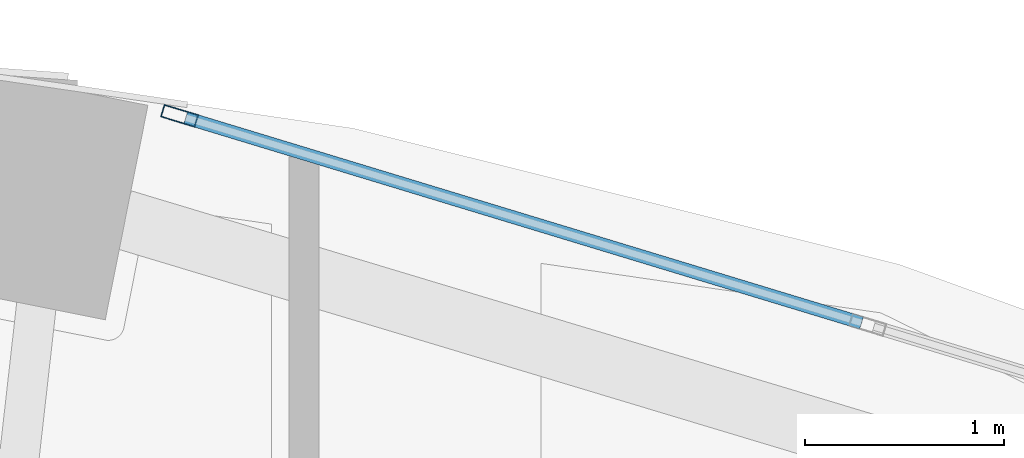
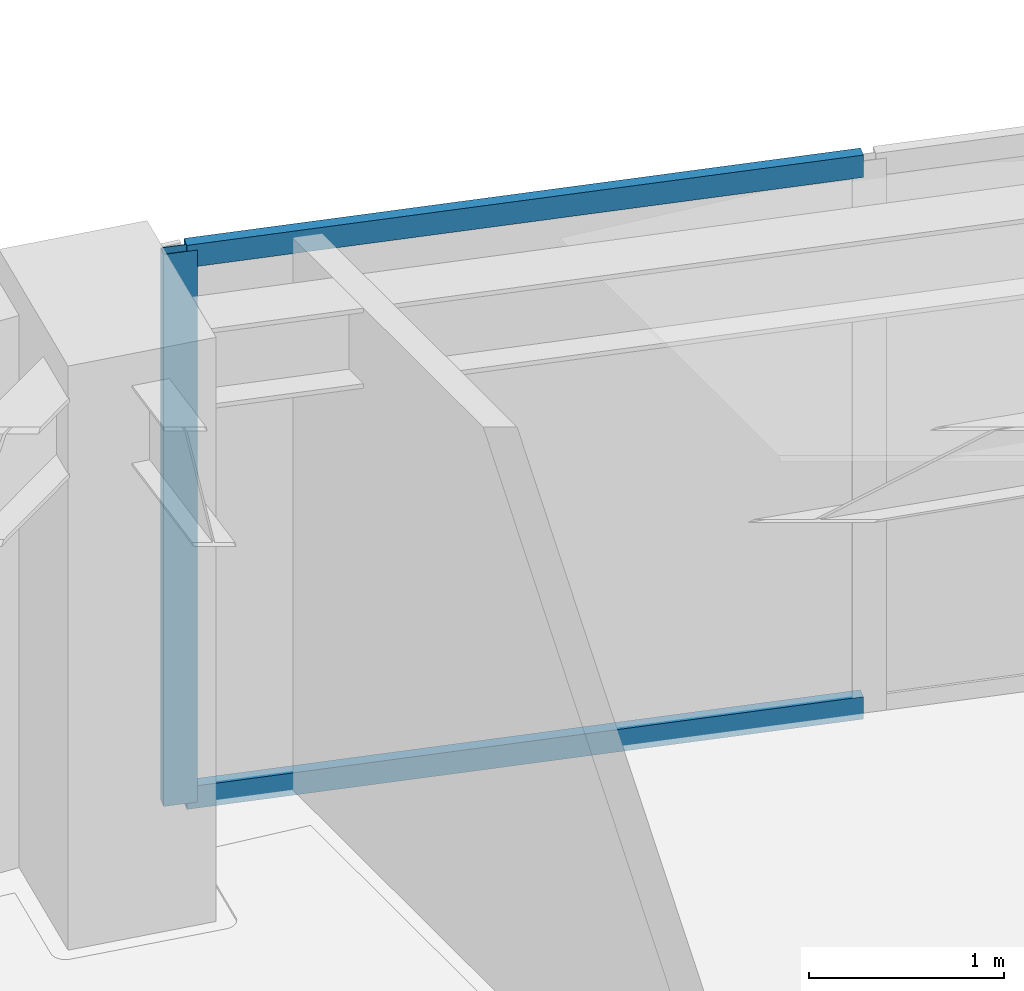
# One storey, part 7 of 13: 3 members, 1 element without a shape of its own.
"""IFC4 building model written with IfcOpenShell, lengths in metres."""

from ifc_helpers import new_model, si_unit, direction, frame, origin, origin_2d, place, context, subcontext, project, spatial, hollow_rectangle, extrude, material, layer, layer_set, material_profile, profile_set, type_object, element, aggregate, save


model = new_model("IFC4")

# Units and contexts
model_context = context("Model", 3, precision=1e-05, world=origin(), true_north=direction((0.0, 1.0)))
body_context = subcontext(model_context, "Body", "Model", "MODEL_VIEW")
ifc_project = project(units=[si_unit("LENGTHUNIT", "METRE"), si_unit("AREAUNIT", "SQUARE_METRE"), si_unit("VOLUMEUNIT", "CUBIC_METRE"), si_unit("PLANEANGLEUNIT", "RADIAN"), si_unit("MASSUNIT", "GRAM", prefix="KILO")], contexts=[model_context])

# Site, building, storey
site_placement = place(None, origin())
site = spatial("IfcSite", under=ifc_project, at=site_placement, CompositionType="ELEMENT")
building_placement = place(site_placement, origin())
building = spatial("IfcBuilding", under=site, at=building_placement, Name="Lazwardi Medical Tower", CompositionType="ELEMENT")
storey_placement = place(building_placement, frame((0.0, 0.0, 273.263916015625)))
storey = spatial("IfcBuildingStorey", under=building, at=storey_placement, Name="L71", CompositionType="ELEMENT", Elevation=273.263916015625)

# Curtain wall, members
ifc_material_1 = material(Name="Anodised bronze aluminium and solar control glazing", Category="aluminium")
ifc_layer = layer(ifc_material_1, 0.18994140625)
ifc_layer_set = layer_set([ifc_layer], Name="Anodised bronze aluminium and solar control glazing")
curtain_wall_type = type_object("IfcCurtainWallType", Name="CW-SYS-04", PredefinedType="NOTDEFINED", material=ifc_layer_set)
curtain_wall_placement = place(storey_placement, origin())
curtain_wall = element("IfcCurtainWall", 1, at=curtain_wall_placement, inside=storey, type_object=curtain_wall_type, Name="L71 Unitised bronze curtain wall CW-04", PredefinedType="NOTDEFINED")
ifc_material_2 = material(Name="Anodised bronze aluminium", Category="aluminium")
ifc_material_profile_1 = material_profile(ifc_material_2, hollow_rectangle(XDim=0.06494140625, YDim=0.179931640625, WallThickness=0.00390625, at=origin_2d()), Name="ALU-MULLION 180x65x4")
ifc_profile_set_1 = profile_set([ifc_material_profile_1], Name="Anodised bronze aluminium")
member_type_1 = type_object("IfcMemberType", Name="CW-MUL-03", PredefinedType="MULLION", material=ifc_profile_set_1)
member_1_placement = place(storey_placement, frame((40.873046875, 45.007080078125, 0.0), z_axis=(0.0, 0.0, 1.0), x_axis=(-0.290581889515, -0.956850126972, 0.0)))
member_1 = element("IfcMember", 2, at=member_1_placement, type_object=member_type_1, Name="CW-04 mullion 3", PredefinedType="MULLION", context=body_context, shape_type="SweptSolid", body=[
    extrude(hollow_rectangle(XDim=0.06494140625, YDim=0.179931640625, WallThickness=0.00390625, at=origin_2d()), origin(), (0.0, 0.0, 1.0), 3.447998046875),
])
ifc_material_profile_2 = material_profile(ifc_material_2, hollow_rectangle(XDim=0.06494140625, YDim=0.139892578125, WallThickness=0.00341796875, at=origin_2d()), Name="ALU-TRANSOM 140x65x3.5")
ifc_profile_set_2 = profile_set([ifc_material_profile_2], Name="Anodised bronze aluminium")
member_type_2 = type_object("IfcMemberType", Name="CW-TRN-03", PredefinedType="USERDEFINED", material=ifc_profile_set_2)
member_2_placement = place(storey_placement, frame((44.305419921875, 43.96484375, 0.032470703125), z_axis=(-0.956862505902, 0.290541124109, 0.0), x_axis=(-0.290541124109, -0.956862505902, 0.0)))
member_2 = element("IfcMember", 3, at=member_2_placement, type_object=member_type_2, Name="CW-04 transom 2.1", ObjectType="TRANSOM", PredefinedType="USERDEFINED", context=body_context, shape_type="SweptSolid", body=[
    extrude(hollow_rectangle(XDim=0.06494140625, YDim=0.139892578125, WallThickness=0.00341796875, at=origin_2d()), origin(), (0.0, 0.0, 1.0), 3.554443359375),
])
member_3_placement = place(storey_placement, frame((44.305419921875, 43.96484375, 3.41552734375), z_axis=(-0.956862505902, 0.290541124109, 0.0), x_axis=(-0.290541124109, -0.956862505902, 0.0)))
member_3 = element("IfcMember", 4, at=member_3_placement, type_object=member_type_2, Name="CW-04 transom 2.2", ObjectType="TRANSOM", PredefinedType="USERDEFINED", context=body_context, shape_type="SweptSolid", body=[
    extrude(hollow_rectangle(XDim=0.06494140625, YDim=0.139892578125, WallThickness=0.00341796875, at=origin_2d()), origin(), (0.0, 0.0, 1.0), 3.554443359375),
])
aggregate(curtain_wall, [member_1, member_2, member_3])

save(model, "model.ifc")
